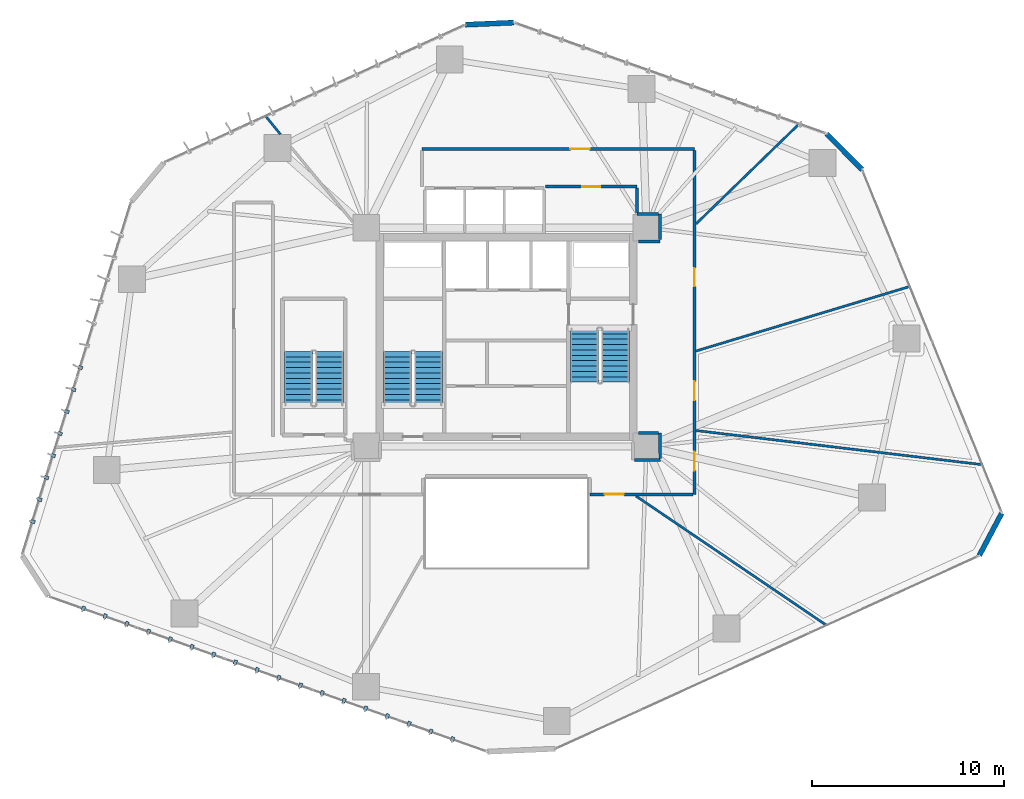
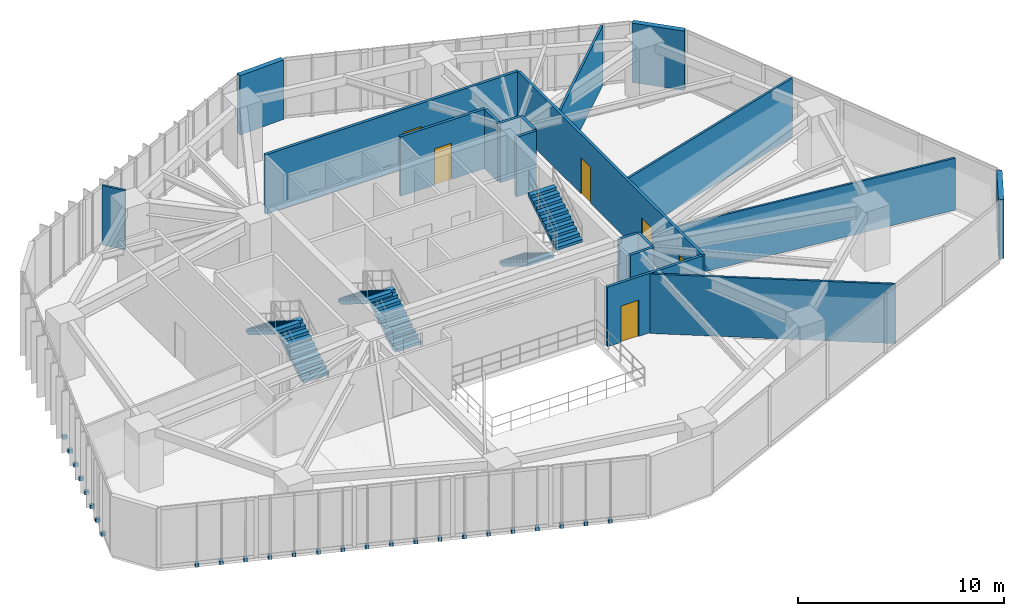
# One storey, part 20 of 24: 26 discrete accessories, 19 walls, 6 doors, 6 stair flights, 6 openings, 3 elements without a shape of their own.
"""IFC4 building model written with IfcOpenShell, lengths in metres."""

import ifcopenshell
import ifcopenshell.guid

model = None  # the IFC model being written
_history = None  # IfcOwnerHistory: only IFC2X3 demands one
_inside = {}  # id of a spatial element -> (the spatial element, [elements in it])
_under = {}  # id of a project, library or spatial element -> (it, [spatial elements below it])
_declared = {}  # id of a project -> (the project, [libraries it declares])
_typed = {}  # id of a type object -> (the type object, [elements of that type])
_made_of = {}  # id of a material, layer set ... -> (it, [elements and type objects made of it])


def new_model(schema):
    """Start an empty IFC model of exactly this schema.

    Asked for "IFC4X3", IfcOpenShell would pick the latest addendum, in which some entities
    have other attributes; the version numbers below select the first issue.
    IFC2X3 requires an IfcOwnerHistory on every rooted entity: one is made here for all.
    """
    global model, _history
    if schema == "IFC4X3":
        model = ifcopenshell.file(schema_version=(4, 3, 0, 0))
    else:
        model = ifcopenshell.file(schema=schema)
    _inside.clear()
    _under.clear()
    _declared.clear()
    _typed.clear()
    _made_of.clear()
    _history = None
    if model.schema == "IFC2X3":
        org = make("IfcOrganization", Name="unknown")
        user = make(
            "IfcPersonAndOrganization",
            ThePerson=make("IfcPerson", FamilyName="unknown"),
            TheOrganization=org,
        )
        app = make(
            "IfcApplication",
            ApplicationDeveloper=org,
            Version="unknown",
            ApplicationFullName="unknown",
            ApplicationIdentifier="unknown",
        )
        _history = make(
            "IfcOwnerHistory",
            OwningUser=user,
            OwningApplication=app,
            ChangeAction="ADDED",
            CreationDate=0,
        )
    return model


def make(cls, **values):
    """One entity of the class cls with the attributes given. An attribute that is None is left unset."""
    return model.create_entity(
        cls, **{name: value for name, value in values.items() if value is not None}
    )


def rooted(cls, **values):
    """An entity with a GlobalId (a new one), such as an element, a storey or a relation."""
    return make(cls, GlobalId=ifcopenshell.guid.new(), OwnerHistory=_history, **values)


def si_unit(unit_type, name, prefix=None):
    """IfcSIUnit, for example si_unit("LENGTHUNIT", "METRE", prefix="MILLI")."""
    return make("IfcSIUnit", UnitType=unit_type, Prefix=prefix, Name=name)


def assignment(units):
    """IfcUnitAssignment: the units of a project."""
    return None if units is None else make("IfcUnitAssignment", Units=units)


def point(xyz):
    """IfcCartesianPoint."""
    return None if xyz is None else make("IfcCartesianPoint", Coordinates=xyz)


def direction(xyz):
    """IfcDirection."""
    return None if xyz is None else make("IfcDirection", DirectionRatios=xyz)


def frame(location, z_axis=None, x_axis=None):
    """IfcAxis2Placement3D, a coordinate frame: its origin and axes. An axis left out is left unset."""
    return make(
        "IfcAxis2Placement3D",
        Location=point(location),
        Axis=direction(z_axis),
        RefDirection=direction(x_axis),
    )


def frame_2d(location, x_axis=None):
    """IfcAxis2Placement2D, a coordinate frame in the plane: its origin and x axis."""
    return make(
        "IfcAxis2Placement2D", Location=point(location), RefDirection=direction(x_axis)
    )


def origin():
    """The frame at (0, 0, 0) with its axes left unset."""
    return frame((0.0, 0.0, 0.0))


def origin_2d():
    """The frame at (0, 0) in the plane with its x axis left unset."""
    return frame_2d((0.0, 0.0))


def place(relative_to, where):
    """IfcLocalPlacement: puts the frame where relative to a parent placement (None: the world)."""
    return make(
        "IfcLocalPlacement", PlacementRelTo=relative_to, RelativePlacement=where
    )


def context(
    kind, dimensions, precision=None, world=None, true_north=None, identifier=None
):
    """IfcGeometricRepresentationContext, for example the 3D "Model" context."""
    return make(
        "IfcGeometricRepresentationContext",
        ContextIdentifier=identifier,
        ContextType=kind,
        CoordinateSpaceDimension=dimensions,
        Precision=precision,
        WorldCoordinateSystem=world,
        TrueNorth=true_north,
    )


def subcontext(parent, identifier, kind, view, scale=None):
    """IfcGeometricRepresentationSubContext, for example "Body" below "Model"."""
    return make(
        "IfcGeometricRepresentationSubContext",
        ContextIdentifier=identifier,
        ContextType=kind,
        ParentContext=parent,
        TargetScale=scale,
        TargetView=view,
    )


def project(units=None, contexts=None):
    """IfcProject with its units and contexts."""
    return rooted(
        "IfcProject",
        Name="project",
        RepresentationContexts=contexts,
        UnitsInContext=assignment(units),
    )


def spatial(cls, under=None, at=None, **own):
    """A site, building, storey or space (cls), placed at a placement, below another one or the project."""
    s = rooted(cls, ObjectPlacement=at, **own)
    if under is not None:
        _under.setdefault(under.id(), (under, []))[1].append(s)
    return s


def polyline(points):
    """IfcPolyline through the points."""
    return make("IfcPolyline", Points=[point(p) for p in points])


def profile(cls, at=None, kind="AREA", **sizes):
    """A parametric profile (cls). Its sizes go by their IFC names, for example OverallWidth=200.0."""
    return make(cls, ProfileType=kind, Position=at, **sizes)


def rectangle(**sizes):
    """IfcRectangleProfileDef."""
    return profile("IfcRectangleProfileDef", **sizes)


def outline(outer, holes=None, kind="AREA"):
    """IfcArbitraryClosedProfileDef: a profile drawn as a closed curve; with holes, ...WithVoids."""
    if holes is None:
        return make("IfcArbitraryClosedProfileDef", ProfileType=kind, OuterCurve=outer)
    return make(
        "IfcArbitraryProfileDefWithVoids",
        ProfileType=kind,
        OuterCurve=outer,
        InnerCurves=holes,
    )


def extrude(swept, where, along, depth):
    """IfcExtrudedAreaSolid: the profile swept, set in the frame where, extruded along a direction by depth."""
    return make(
        "IfcExtrudedAreaSolid",
        SweptArea=swept,
        Position=where,
        ExtrudedDirection=direction(along),
        Depth=depth,
    )


def shape(context_of_items, identifier, shape_type, items):
    """IfcShapeRepresentation: the items that make up one representation, for example the "Body"."""
    return make(
        "IfcShapeRepresentation",
        ContextOfItems=context_of_items,
        RepresentationIdentifier=identifier,
        RepresentationType=shape_type,
        Items=items,
    )


def source(mapping_origin, context_of_items, identifier, shape_type, items):
    """IfcRepresentationMap: a shape defined once, which mapped items show again and again."""
    return make(
        "IfcRepresentationMap",
        MappingOrigin=mapping_origin,
        MappedRepresentation=shape(context_of_items, identifier, shape_type, items),
    )


def transform(
    local_origin,
    x_axis=None,
    y_axis=None,
    z_axis=None,
    scale=None,
    scale2=None,
    scale3=None,
    uniform=True,
):
    """IfcCartesianTransformationOperator3D, or its non-uniform kind. x_axis, y_axis, z_axis: its Axis1, 2, 3."""
    if uniform:
        return make(
            "IfcCartesianTransformationOperator3D",
            Axis1=direction(x_axis),
            Axis2=direction(y_axis),
            LocalOrigin=point(local_origin),
            Scale=scale,
            Axis3=direction(z_axis),
        )
    return make(
        "IfcCartesianTransformationOperator3DnonUniform",
        Axis1=direction(x_axis),
        Axis2=direction(y_axis),
        LocalOrigin=point(local_origin),
        Scale=scale,
        Axis3=direction(z_axis),
        Scale2=scale2,
        Scale3=scale3,
    )


def mapped(mapping_source, mapping_target):
    """IfcMappedItem: shows the shape of a source again, moved by a transform."""
    return make(
        "IfcMappedItem", MappingSource=mapping_source, MappingTarget=mapping_target
    )


def material(Name=None, Category=None):
    """IfcMaterial."""
    return make("IfcMaterial", Name=Name, Category=Category)


def layer(
    of_material, thickness, ventilated=None, Name=None, Category=None, Priority=None
):
    """IfcMaterialLayer: one layer of a wall or slab, of a material (None: an air gap)."""
    return make(
        "IfcMaterialLayer",
        Material=of_material,
        LayerThickness=thickness,
        IsVentilated=ventilated,
        Name=Name,
        Category=Category,
        Priority=Priority,
    )


def layer_set(layers, Name=None):
    """IfcMaterialLayerSet."""
    return make("IfcMaterialLayerSet", MaterialLayers=layers, LayerSetName=Name)


def made_of(thing, what):
    """Note that an element or type object is made of a material, layer set ...; save() writes the relation."""
    if what is not None:
        _made_of.setdefault(what.id(), (what, []))[1].append(thing)
    return thing


def type_object(cls, material=None, **own):
    """A type object (cls), such as IfcWallType, which elements share."""
    return made_of(rooted(cls, **own), material)


def type_shapes(of_type, sources):
    """Give a type object the sources (RepresentationMaps) that its elements show as mapped items."""
    of_type.RepresentationMaps = sources


def element(
    cls,
    number,
    at=None,
    inside=None,
    cuts=None,
    type_object=None,
    material=None,
    context=None,
    identifier="Body",
    shape_type=None,
    held_by="IfcProductDefinitionShape",
    body=None,
    shapes=None,
    **own,
):
    """One element of the class cls, such as IfcWall. Its Tag is "e" and its number.

    at: its placement. inside: the storey or other place that contains it. cuts: it is an
    opening in that element (IfcRelVoidsElement). A single representation is given by context,
    identifier, shape_type and body (its items); several are given by shapes. held_by: the class
    of the entity that holds the representations. save() writes the other relations.
    """
    e = rooted(cls, Tag="e%d" % number, ObjectPlacement=at, **own)
    if body is not None:
        shapes = [shape(context, identifier, shape_type, body)]
    if shapes is not None:
        e.Representation = make(held_by, Representations=shapes)
    if inside is not None:
        _inside.setdefault(inside.id(), (inside, []))[1].append(e)
    if cuts is not None:
        rooted(
            "IfcRelVoidsElement", RelatingBuildingElement=cuts, RelatedOpeningElement=e
        )
    if type_object is not None:
        _typed.setdefault(type_object.id(), (type_object, []))[1].append(e)
    return made_of(e, material)


def fill(opening, filler):
    """IfcRelFillsElement: the door or window that sits in an opening."""
    return rooted(
        "IfcRelFillsElement",
        RelatingOpeningElement=opening,
        RelatedBuildingElement=filler,
    )


def aggregate(whole, parts):
    """IfcRelAggregates: a whole, such as a stair, and the parts it consists of."""
    return rooted("IfcRelAggregates", RelatingObject=whole, RelatedObjects=parts)


def save(model, path):
    """Write the relations noted so far, then the file.

    IfcRelAggregates (storeys below a building ...), IfcRelContainedInSpatialStructure (elements
    in a storey), IfcRelDefinesByType, IfcRelAssociatesMaterial and IfcRelDeclares: one each for
    every whole, place, type object, material and project.
    """
    for whole, parts in _under.values():
        aggregate(whole, parts)
    for where, things in _inside.values():
        rooted(
            "IfcRelContainedInSpatialStructure",
            RelatedElements=things,
            RelatingStructure=where,
        )
    for kind, things in _typed.values():
        rooted("IfcRelDefinesByType", RelatedObjects=things, RelatingType=kind)
    for what, things in _made_of.values():
        rooted("IfcRelAssociatesMaterial", RelatedObjects=things, RelatingMaterial=what)
    for by, libraries in _declared.values():
        rooted("IfcRelDeclares", RelatingContext=by, RelatedDefinitions=libraries)
    model.write(path)


model = new_model("IFC4")

# Units and contexts
model_context = context("Model", 3, precision=1e-05, world=origin(), true_north=direction((0.0, 1.0)))
body_context = subcontext(model_context, "Body", "Model", "MODEL_VIEW")
ifc_project = project(units=[si_unit("LENGTHUNIT", "METRE"), si_unit("AREAUNIT", "SQUARE_METRE"), si_unit("VOLUMEUNIT", "CUBIC_METRE"), si_unit("PLANEANGLEUNIT", "RADIAN"), si_unit("MASSUNIT", "GRAM", prefix="KILO")], contexts=[model_context])

# Site, building, storey
site_placement = place(None, origin())
site = spatial("IfcSite", under=ifc_project, at=site_placement, CompositionType="ELEMENT")
building_placement = place(site_placement, origin())
building = spatial("IfcBuilding", under=site, at=building_placement, Name="Talar Marvaseh", CompositionType="ELEMENT")
storey_placement = place(building_placement, frame((0.0, 0.0, 31.60009765625)))
storey = spatial("IfcBuildingStorey", under=building, at=storey_placement, Name="L07", CompositionType="ELEMENT", Elevation=31.60009765625)

# Walls
ifc_material_1 = material(Name="Precast concrete C45/55", Category="concrete")
ifc_layer_1 = layer(ifc_material_1, 0.27001953125)
ifc_layer_set_1 = layer_set([ifc_layer_1], Name="Precast concrete C45/55")
wall_type_1 = type_object("IfcWallType", Name="Chamfered Hexagonal Corner Pier Wall Z1 270", PredefinedType="SOLIDWALL", material=ifc_layer_set_1)
wall_1_placement = place(storey_placement, frame((23.86865234375, 47.47607421875, 0.0), z_axis=(0.0, 0.0, 1.0), x_axis=(0.999050474319, 0.043567760584, 0.0)))
element("IfcWall", 1, at=wall_1_placement, inside=storey, type_object=wall_type_1, Name="L07 Chamfered Corner Limestone Pier 3", PredefinedType="SOLIDWALL", context=body_context, shape_type="SweptSolid", body=[
    extrude(rectangle(XDim=2.51611328125, YDim=0.27001953125, at=frame_2d((1.258056640625, 0.0))), origin(), (0.0, 0.0, 1.0), 3.52001953125),
])
wall_2_placement = place(storey_placement, frame((42.6787109375, 41.79150390625, 0.0), z_axis=(0.0, 0.0, 1.0), x_axis=(0.705569446061, -0.708640781204, 0.0)))
element("IfcWall", 2, at=wall_2_placement, inside=storey, type_object=wall_type_1, Name="L07 Chamfered Corner Limestone Pier 4", PredefinedType="SOLIDWALL", context=body_context, shape_type="SweptSolid", body=[
    extrude(rectangle(XDim=2.623291015625, YDim=0.27001953125, at=frame_2d((1.3115234375, 0.0))), origin(), (0.0, 0.0, 1.0), 3.52001953125),
])
wall_3_placement = place(storey_placement, frame((51.805419921875, 22.01806640625, 0.0), z_axis=(0.0, 0.0, 1.0), x_axis=(-0.468316655627, -0.883560699704, 0.0)))
element("IfcWall", 3, at=wall_3_placement, inside=storey, type_object=wall_type_1, Name="L07 Chamfered Corner Limestone Pier 5", PredefinedType="SOLIDWALL", context=body_context, shape_type="SweptSolid", body=[
    extrude(rectangle(XDim=2.484130859375, YDim=0.27001953125, at=frame_2d((1.2421875, 0.0))), origin(), (0.0, 0.0, 1.0), 3.52001953125),
])

# Wall, opening, door
ifc_material_2 = material(Name="Gypsum Board Partition Assembly")
ifc_layer_2 = layer(ifc_material_2, 0.155029296875)
ifc_layer_set_2 = layer_set([ifc_layer_2], Name="Gypsum Board Partition Assembly")
wall_type_2 = type_object("IfcWallType", Name="Corridor Fire-Rated Acoustic Partition 155", PredefinedType="PARTITIONING", material=ifc_layer_set_2)
wall_4_placement = place(storey_placement, frame((32.800048828125, 39.0400390625, 0.0), z_axis=(0.0, 0.0, 1.0), x_axis=(-1.0, 0.0, 0.0)))
wall_4 = element("IfcWall", 4, at=wall_4_placement, inside=storey, type_object=wall_type_2, Name="L07 Interior Partition Wall", PredefinedType="PARTITIONING", context=body_context, shape_type="SweptSolid", body=[
    extrude(rectangle(XDim=4.77001953125, YDim=0.155029296875, at=frame_2d((2.385009765625, 0.0))), origin(), (0.0, 0.0, 1.0), 3.52001953125),
])
opening_1_placement = place(wall_4_placement, frame((1.909912109375, 0.0, 0.0)))
opening_1 = element("IfcOpeningElement", 5, at=opening_1_placement, cuts=wall_4, Name="Opening DR-WC095", PredefinedType="OPENING", context=body_context, shape_type="SweptSolid", body=[
    extrude(rectangle(XDim=0.949951171875, YDim=2.14990234375, at=frame_2d((0.47509765625, 1.074951171875))), frame((0.0, 0.08740234375, 0.0), z_axis=(0.0, -1.0, 0.0), x_axis=(1.0, 0.0, 0.0)), (0.0, 0.0, 1.0), 0.175048828125),
])
ifc_material_3 = material(Name="Acoustic Engineered Oak Timber", Category="wood")
door_type_1 = type_object("IfcDoorType", Name="Washroom and Service Room Door 950x2150", OperationType="NOTDEFINED", PredefinedType="DOOR", material=ifc_material_3)
shared_shape_1 = source(origin(), body_context, "Body", "SweptSolid", [
    extrude(rectangle(XDim=0.949951171875, YDim=2.14990234375, at=frame_2d((0.47509765625, 1.074951171875))), frame((0.0, 0.02490234375, 0.0), z_axis=(0.0, -1.0, 0.0), x_axis=(1.0, 0.0, 0.0)), (0.0, 0.0, 1.0), 0.050048828125),
])
type_shapes(door_type_1, [shared_shape_1])
door_1_placement = place(opening_1_placement, origin())
door_1 = element("IfcDoor", 6, at=door_1_placement, inside=storey, type_object=door_type_1, Name="L07 WC Public Washrooms Door", OperationType="SINGLE_SWING_LEFT", OverallHeight=2.14990234375, OverallWidth=0.949951171875, PredefinedType="DOOR", context=body_context, shape_type="MappedRepresentation", body=[
    mapped(shared_shape_1, transform((0.0, 0.0, 0.0), x_axis=(1.0, 0.0, 0.0), y_axis=(0.0, 1.0, 0.0), z_axis=(0.0, 0.0, 1.0), scale=1.0)),
])
fill(opening_1, door_1)

wall_5_placement = place(storey_placement, frame((21.60009765625, 41.0, 0.0), z_axis=(0.0, 0.0, 1.0), x_axis=(1.0, 0.0, 0.0)))
wall_5 = element("IfcWall", 7, at=wall_5_placement, inside=storey, type_object=wall_type_2, Name="L07 Interior Partition Wall", PredefinedType="PARTITIONING", context=body_context, shape_type="SweptSolid", body=[
    extrude(rectangle(XDim=14.199951171875, YDim=0.155029296875, at=frame_2d((7.10009765625, 0.0))), origin(), (0.0, 0.0, 1.0), 3.52001953125),
])
opening_2_placement = place(wall_5_placement, frame((7.736083984375, 0.0, 0.0)))
opening_2 = element("IfcOpeningElement", 8, at=opening_2_placement, cuts=wall_5, Name="Opening DR-RM100", PredefinedType="OPENING", context=body_context, shape_type="SweptSolid", body=[
    extrude(rectangle(XDim=1.0, YDim=2.14990234375, at=frame_2d((0.5, 1.074951171875))), frame((0.0, 0.08740234375, 0.0), z_axis=(0.0, -1.0, 0.0), x_axis=(1.0, 0.0, 0.0)), (0.0, 0.0, 1.0), 0.175048828125),
])
door_type_2 = type_object("IfcDoorType", Name="Corridor Fire-Rated Gallery Door 1000x2150", OperationType="NOTDEFINED", PredefinedType="DOOR", material=ifc_material_3)
shared_shape_2 = source(origin(), body_context, "Body", "SweptSolid", [
    extrude(rectangle(XDim=1.0, YDim=2.14990234375, at=frame_2d((0.5, 1.074951171875))), frame((0.0, 0.02490234375, 0.0), z_axis=(0.0, -1.0, 0.0), x_axis=(1.0, 0.0, 0.0)), (0.0, 0.0, 1.0), 0.050048828125),
])
type_shapes(door_type_2, [shared_shape_2])
door_2_placement = place(opening_2_placement, origin())
door_2 = element("IfcDoor", 9, at=door_2_placement, inside=storey, type_object=door_type_2, Name="L07 Chamber Recital Salon Door", OperationType="SINGLE_SWING_RIGHT", OverallHeight=2.14990234375, OverallWidth=1.0, PredefinedType="DOOR", context=body_context, shape_type="MappedRepresentation", body=[
    mapped(shared_shape_2, transform((0.0, 0.0, 0.0), x_axis=(1.0, 0.0, 0.0), y_axis=(0.0, 1.0, 0.0), z_axis=(0.0, 0.0, 1.0), scale=1.0)),
])
fill(opening_2, door_2)

# Wall, openings, doors
wall_6_placement = place(storey_placement, frame((35.800048828125, 40.91650390625, 0.0), z_axis=(0.0, 0.0, 1.0), x_axis=(0.0, -1.0, 0.0)))
wall_6 = element("IfcWall", 10, at=wall_6_placement, inside=storey, type_object=wall_type_2, Name="L07 Interior Partition Wall", PredefinedType="PARTITIONING", context=body_context, shape_type="SweptSolid", body=[
    extrude(rectangle(XDim=17.91650390625, YDim=0.155029296875, at=frame_2d((8.958251953125, 0.0))), origin(), (0.0, 0.0, 1.0), 3.52001953125),
])
opening_3_placement = place(wall_6_placement, frame((15.67822265625, 0.0, 0.0)))
opening_3 = element("IfcOpeningElement", 11, at=opening_3_placement, cuts=wall_6, Name="Opening DR-RM100", PredefinedType="OPENING", context=body_context, shape_type="SweptSolid", body=[
    extrude(rectangle(XDim=1.0, YDim=2.14990234375, at=frame_2d((0.5, 1.074951171875))), frame((0.0, 0.08740234375, 0.0), z_axis=(0.0, -1.0, 0.0), x_axis=(1.0, 0.0, 0.0)), (0.0, 0.0, 1.0), 0.175048828125),
])
opening_4_placement = place(wall_6_placement, frame((12.01904296875, 0.0, 0.0)))
opening_4 = element("IfcOpeningElement", 12, at=opening_4_placement, cuts=wall_6, Name="Opening DR-RM100", PredefinedType="OPENING", context=body_context, shape_type="SweptSolid", body=[
    extrude(rectangle(XDim=1.0, YDim=2.14990234375, at=frame_2d((0.5, 1.074951171875))), frame((0.0, 0.08740234375, 0.0), z_axis=(0.0, -1.0, 0.0), x_axis=(1.0, 0.0, 0.0)), (0.0, 0.0, 1.0), 0.175048828125),
])
opening_5_placement = place(wall_6_placement, frame((6.127197265625, 0.0, 0.0)))
opening_5 = element("IfcOpeningElement", 13, at=opening_5_placement, cuts=wall_6, Name="Opening DR-WC095", PredefinedType="OPENING", context=body_context, shape_type="SweptSolid", body=[
    extrude(rectangle(XDim=0.949951171875, YDim=2.14990234375, at=frame_2d((0.47509765625, 1.074951171875))), frame((0.0, 0.08740234375, 0.0), z_axis=(0.0, -1.0, 0.0), x_axis=(1.0, 0.0, 0.0)), (0.0, 0.0, 1.0), 0.175048828125),
])
door_3_placement = place(opening_5_placement, origin())
door_3 = element("IfcDoor", 14, at=door_3_placement, inside=storey, type_object=door_type_1, Name="L07 Accessible WC Block Door", OperationType="SINGLE_SWING_RIGHT", OverallHeight=2.14990234375, OverallWidth=0.949951171875, PredefinedType="DOOR", context=body_context, shape_type="MappedRepresentation", body=[
    mapped(shared_shape_1, transform((0.0, 0.0, 0.0), x_axis=(1.0, 0.0, 0.0), y_axis=(0.0, 1.0, 0.0), z_axis=(0.0, 0.0, 1.0), scale=1.0)),
])
fill(opening_5, door_3)
door_4_placement = place(opening_3_placement, origin())
door_4 = element("IfcDoor", 15, at=door_4_placement, inside=storey, type_object=door_type_2, Name="L07 Main Reading Room Door", OperationType="SINGLE_SWING_RIGHT", OverallHeight=2.14990234375, OverallWidth=1.0, PredefinedType="DOOR", context=body_context, shape_type="MappedRepresentation", body=[
    mapped(shared_shape_2, transform((0.0, 0.0, 0.0), x_axis=(1.0, 0.0, 0.0), y_axis=(0.0, 1.0, 0.0), z_axis=(0.0, 0.0, 1.0), scale=1.0)),
])
fill(opening_3, door_4)
door_5_placement = place(opening_4_placement, origin())
door_5 = element("IfcDoor", 16, at=door_5_placement, inside=storey, type_object=door_type_2, Name="L07 Archival Research Office Door", OperationType="SINGLE_SWING_LEFT", OverallHeight=2.14990234375, OverallWidth=1.0, PredefinedType="DOOR", context=body_context, shape_type="MappedRepresentation", body=[
    mapped(shared_shape_2, transform((0.0, 0.0, 0.0), x_axis=(1.0, 0.0, 0.0), y_axis=(0.0, 1.0, 0.0), z_axis=(0.0, 0.0, 1.0), scale=1.0)),
])
fill(opening_4, door_5)

# Wall, opening, door
wall_7_placement = place(storey_placement, frame((35.716552734375, 23.0, 0.0), z_axis=(0.0, 0.0, 1.0), x_axis=(-1.0, 0.0, 0.0)))
wall_7 = element("IfcWall", 17, at=wall_7_placement, inside=storey, type_object=wall_type_2, Name="L07 Interior Partition Wall", PredefinedType="PARTITIONING", context=body_context, shape_type="SweptSolid", body=[
    extrude(rectangle(XDim=5.3564453125, YDim=0.155029296875, at=frame_2d((2.67822265625, 0.0))), origin(), (0.0, 0.0, 1.0), 3.52001953125),
])
opening_6_placement = place(wall_7_placement, frame((3.59619140625, 0.0, 0.0)))
opening_6 = element("IfcOpeningElement", 18, at=opening_6_placement, cuts=wall_7, Name="Opening DR-RM100", PredefinedType="OPENING", context=body_context, shape_type="SweptSolid", body=[
    extrude(rectangle(XDim=1.0, YDim=2.14990234375, at=frame_2d((0.5, 1.074951171875))), frame((0.0, 0.08740234375, 0.0), z_axis=(0.0, -1.0, 0.0), x_axis=(1.0, 0.0, 0.0)), (0.0, 0.0, 1.0), 0.175048828125),
])
door_6_placement = place(opening_6_placement, origin())
door_6 = element("IfcDoor", 19, at=door_6_placement, inside=storey, type_object=door_type_2, Name="L07 Curatorial Office Door", OperationType="SINGLE_SWING_LEFT", OverallHeight=2.14990234375, OverallWidth=1.0, PredefinedType="DOOR", context=body_context, shape_type="MappedRepresentation", body=[
    mapped(shared_shape_2, transform((0.0, 0.0, 0.0), x_axis=(1.0, 0.0, 0.0), y_axis=(0.0, 1.0, 0.0), z_axis=(0.0, 0.0, 1.0), scale=1.0)),
])
fill(opening_6, door_6)

# Walls
wall_8_placement = place(storey_placement, frame((32.67529296875, 24.788330078125, 0.0), z_axis=(0.0, 0.0, 1.0), x_axis=(0.999961738884, 0.008747614993, 0.0)))
element("IfcWall", 20, at=wall_8_placement, inside=storey, type_object=wall_type_2, Name="L07 Interior Partition Wall", PredefinedType="PARTITIONING", context=body_context, shape_type="SweptSolid", body=[
    extrude(rectangle(XDim=1.339599609375, YDim=0.155029296875, at=frame_2d((0.669921875, 0.0))), origin(), (0.0, 0.0, 1.0), 3.52001953125),
])
wall_9_placement = place(storey_placement, frame((34.014892578125, 24.883544921875, 0.0), z_axis=(0.0, 0.0, 1.0), x_axis=(-0.002393659134, 0.999997135194, 0.0)))
element("IfcWall", 21, at=wall_9_placement, inside=storey, type_object=wall_type_2, Name="L07 Interior Partition Wall", PredefinedType="PARTITIONING", context=body_context, shape_type="SweptSolid", body=[
    extrude(rectangle(XDim=1.325927734375, YDim=0.155029296875, at=frame_2d((0.6630859375, 0.0))), origin(), (0.0, 0.0, 1.0), 3.52001953125),
])
wall_10_placement = place(storey_placement, frame((33.927978515625, 26.2099609375, 0.0), z_axis=(0.0, 0.0, 1.0), x_axis=(-0.999988255797, 0.004846469737, 0.0)))
element("IfcWall", 22, at=wall_10_placement, inside=storey, type_object=wall_type_2, Name="L07 Interior Partition Wall", PredefinedType="PARTITIONING", context=body_context, shape_type="SweptSolid", body=[
    extrude(rectangle(XDim=1.057861328125, YDim=0.155029296875, at=frame_2d((0.52880859375, 0.0))), origin(), (0.0, 0.0, 1.0), 3.52001953125),
])
wall_11_placement = place(storey_placement, frame((32.8701171875, 36.18505859375, 0.0), z_axis=(0.0, 0.0, 1.0), x_axis=(0.999988932255, 0.00470482389, 0.0)))
element("IfcWall", 23, at=wall_11_placement, inside=storey, type_object=wall_type_2, Name="L07 Interior Partition Wall", PredefinedType="PARTITIONING", context=body_context, shape_type="SweptSolid", body=[
    extrude(rectangle(XDim=1.1416015625, YDim=0.155029296875, at=frame_2d((0.57080078125, 0.0))), origin(), (0.0, 0.0, 1.0), 3.52001953125),
])
wall_12_placement = place(storey_placement, frame((34.01171875, 36.27392578125, 0.0), z_axis=(0.0, 0.0, 1.0), x_axis=(0.0, 1.0, 0.0)))
element("IfcWall", 24, at=wall_12_placement, inside=storey, type_object=wall_type_2, Name="L07 Interior Partition Wall", PredefinedType="PARTITIONING", context=body_context, shape_type="SweptSolid", body=[
    extrude(rectangle(XDim=1.335693359375, YDim=0.155029296875, at=frame_2d((0.66796875, 0.0))), origin(), (0.0, 0.0, 1.0), 3.52001953125),
])
wall_13_placement = place(storey_placement, frame((33.927978515625, 37.60986328125, 0.0), z_axis=(0.0, 0.0, 1.0), x_axis=(-0.999989669582, 0.004545407589, 0.0)))
element("IfcWall", 25, at=wall_13_placement, inside=storey, type_object=wall_type_2, Name="L07 Interior Partition Wall", PredefinedType="PARTITIONING", context=body_context, shape_type="SweptSolid", body=[
    extrude(rectangle(XDim=1.1279296875, YDim=0.155029296875, at=frame_2d((0.56396484375, 0.0))), origin(), (0.0, 0.0, 1.0), 3.52001953125),
])
wall_14_placement = place(storey_placement, frame((32.800048828125, 37.698486328125, 0.0), z_axis=(0.0, 0.0, 1.0), x_axis=(0.0, 1.0, 0.0)))
element("IfcWall", 26, at=wall_14_placement, inside=storey, type_object=wall_type_2, Name="L07 Interior Partition Wall", PredefinedType="PARTITIONING", context=body_context, shape_type="SweptSolid", body=[
    extrude(rectangle(XDim=1.258056640625, YDim=0.155029296875, at=frame_2d((0.62890625, 0.0))), origin(), (0.0, 0.0, 1.0), 3.52001953125),
])
ifc_layer_3 = layer(ifc_material_2, 0.1201171875)
ifc_layer_set_3 = layer_set([ifc_layer_3], Name="Gypsum Board Partition Assembly")
wall_type_3 = type_object("IfcWallType", Name="Demountable Studio Room Partition 120", PredefinedType="PARTITIONING", material=ifc_layer_set_3)
wall_15_placement = place(storey_placement, frame((32.753173828125, 22.91650390625, 0.0), z_axis=(0.0, 0.0, 1.0), x_axis=(0.827507249644, -0.561455030957, 0.0)))
element("IfcWall", 27, at=wall_15_placement, inside=storey, type_object=wall_type_3, Name="L07 Interior Partition Wall", PredefinedType="PARTITIONING", context=body_context, shape_type="SweptSolid", body=[
    extrude(rectangle(XDim=11.9697265625, YDim=0.1201171875, at=frame_2d((5.98486328125, 0.0))), origin(), (0.0, 0.0, 1.0), 3.52001953125),
])
wall_16_placement = place(storey_placement, frame((35.864501953125, 26.332275390625, 0.0), z_axis=(0.0, 0.0, 1.0), x_axis=(0.992974996314, -0.118324370671, 0.0)))
element("IfcWall", 28, at=wall_16_placement, inside=storey, type_object=wall_type_3, Name="L07 Interior Partition Wall", PredefinedType="PARTITIONING", context=body_context, shape_type="SweptSolid", body=[
    extrude(rectangle(XDim=15.0126953125, YDim=0.1201171875, at=frame_2d((7.50634765625, 0.0))), origin(), (0.0, 0.0, 1.0), 3.081787109375),
])
wall_17_placement = place(storey_placement, frame((35.8623046875, 30.46875, 0.0), z_axis=(0.0, 0.0, 1.0), x_axis=(0.957323764564, 0.289017663474, 0.0)))
element("IfcWall", 29, at=wall_17_placement, inside=storey, type_object=wall_type_3, Name="L07 Interior Partition Wall", PredefinedType="PARTITIONING", context=body_context, shape_type="SweptSolid", body=[
    extrude(rectangle(XDim=11.626708984375, YDim=0.1201171875, at=frame_2d((5.8134765625, 0.0))), origin(), (0.0, 0.0, 1.0), 3.52001953125),
])
wall_18_placement = place(storey_placement, frame((35.883544921875, 37.10107421875, 0.0), z_axis=(0.0, 0.0, 1.0), x_axis=(0.717885506384, 0.696161188034, 0.0)))
element("IfcWall", 30, at=wall_18_placement, inside=storey, type_object=wall_type_3, Name="L07 Interior Partition Wall", PredefinedType="PARTITIONING", context=body_context, shape_type="SweptSolid", body=[
    extrude(rectangle(XDim=7.450927734375, YDim=0.1201171875, at=frame_2d((3.7255859375, 0.0))), origin(), (0.0, 0.0, 1.0), 3.52001953125),
])
wall_19_placement = place(storey_placement, frame((14.22998046875, 41.760009765625, 0.0), z_axis=(0.0, 0.0, 1.0), x_axis=(-0.630509067862, 0.776181882901, 0.0)))
element("IfcWall", 31, at=wall_19_placement, inside=storey, type_object=wall_type_3, Name="L07 Interior Partition Wall", PredefinedType="PARTITIONING", context=body_context, shape_type="SweptSolid", body=[
    extrude(rectangle(XDim=1.2099609375, YDim=0.1201171875, at=frame_2d((0.60498046875, 0.0))), origin(), (0.0, 0.0, 1.0), 3.52001953125),
])

# Stair, stair flights
ifc_material_4 = material(Name="Concrete C40/50", Category="concrete")
stair_type = type_object("IfcStairType", Name="Reinforced Concrete Half-Turn Exit Stair Type B", PredefinedType="HALF_TURN_STAIR", material=ifc_material_4)
stair_1_placement = place(storey_placement, origin())
stair_1 = element("IfcStair", 32, at=stair_1_placement, inside=storey, type_object=stair_type, Name="L07 Tower West Core Exit Stair", PredefinedType="HALF_TURN_STAIR")
ifc_layer_4 = layer(ifc_material_4, 0.159912109375)
ifc_layer_set_4 = layer_set([ifc_layer_4], Name="Concrete C40/50")
stair_flight_type = type_object("IfcStairFlightType", Name="Reinforced Concrete Straight Stair Flight 160", PredefinedType="STRAIGHT", material=ifc_layer_set_4)
stair_flight_1_placement = place(storey_placement, frame((21.93505859375, 27.64990234375, 0.0), z_axis=(0.0, 0.0, 1.0), x_axis=(0.0, 1.0, 0.0)))
stair_flight_1 = element("IfcStairFlight", 33, at=stair_flight_1_placement, type_object=stair_flight_type, Name="ST-1 flight 1", NumberOfRisers=11, NumberOfTreads=10, PredefinedType="STRAIGHT", RiserHeight=0.172727273, TreadLength=0.28, context=body_context, shape_type="SweptSolid", body=[
    extrude(outline(polyline([(0.0, 0.0), (0.0, 0.172607421875), (0.280029296875, 0.172607421875), (0.280029296875, 0.345458984375), (0.56005859375, 0.345458984375), (0.56005859375, 0.51806640625), (0.840087890625, 0.51806640625), (0.840087890625, 0.69091796875), (1.1201171875, 0.69091796875), (1.1201171875, 0.863525390625), (1.39990234375, 0.863525390625), (1.39990234375, 1.036376953125), (1.679931640625, 1.036376953125), (1.679931640625, 1.208984375), (1.9599609375, 1.208984375), (1.9599609375, 1.3818359375), (2.239990234375, 1.3818359375), (2.239990234375, 1.554443359375), (2.52001953125, 1.554443359375), (2.52001953125, 1.727294921875), (2.800048828125, 1.727294921875), (2.800048828125, 1.89990234375), (2.800048828125, 1.539306640625), (0.3046875, 0.0), (0.0, 0.0)])), frame((0.0, 0.72509765625, 0.0), z_axis=(0.0, -1.0, 0.0), x_axis=(1.0, 0.0, 0.0)), (0.0, 0.0, 1.0), 1.449951171875),
])
stair_flight_2_placement = place(storey_placement, frame((20.324951171875, 30.449951171875, 1.89990234375), z_axis=(0.0, 0.0, 1.0), x_axis=(0.0, -1.0, 0.0)))
stair_flight_2 = element("IfcStairFlight", 34, at=stair_flight_2_placement, type_object=stair_flight_type, Name="ST-1 flight 2", NumberOfRisers=11, NumberOfTreads=10, PredefinedType="STRAIGHT", RiserHeight=0.172727273, TreadLength=0.28, context=body_context, shape_type="SweptSolid", body=[
    extrude(outline(polyline([(0.0, 0.0), (0.0, 0.172607421875), (0.280029296875, 0.172607421875), (0.280029296875, 0.345458984375), (0.56005859375, 0.345458984375), (0.56005859375, 0.51806640625), (0.840087890625, 0.51806640625), (0.840087890625, 0.69091796875), (1.1201171875, 0.69091796875), (1.1201171875, 0.863525390625), (1.39990234375, 0.863525390625), (1.39990234375, 1.036376953125), (1.679931640625, 1.036376953125), (1.679931640625, 1.208984375), (1.9599609375, 1.208984375), (1.9599609375, 1.3818359375), (2.239990234375, 1.3818359375), (2.239990234375, 1.554443359375), (2.52001953125, 1.554443359375), (2.52001953125, 1.727294921875), (2.800048828125, 1.727294921875), (2.800048828125, 1.89990234375), (2.800048828125, 1.539306640625), (0.3046875, 0.0), (0.0, 0.0)])), frame((0.0, 0.72509765625, 0.0), z_axis=(0.0, -1.0, 0.0), x_axis=(1.0, 0.0, 0.0)), (0.0, 0.0, 1.0), 1.449951171875),
])
aggregate(stair_1, [stair_flight_1, stair_flight_2])

stair_2_placement = place(storey_placement, origin())
stair_2 = element("IfcStair", 35, at=stair_2_placement, inside=storey, type_object=stair_type, Name="L07 Tower East Core Exit Stair", PredefinedType="HALF_TURN_STAIR")
stair_flight_3_placement = place(storey_placement, frame((30.06494140625, 31.64990234375, 0.0), z_axis=(0.0, 0.0, 1.0), x_axis=(0.0, -1.0, 0.0)))
stair_flight_3 = element("IfcStairFlight", 36, at=stair_flight_3_placement, type_object=stair_flight_type, Name="ST-2 flight 1", NumberOfRisers=11, NumberOfTreads=10, PredefinedType="STRAIGHT", RiserHeight=0.172727273, TreadLength=0.28, context=body_context, shape_type="SweptSolid", body=[
    extrude(outline(polyline([(0.0, 0.0), (0.0, 0.172607421875), (0.280029296875, 0.172607421875), (0.280029296875, 0.345458984375), (0.56005859375, 0.345458984375), (0.56005859375, 0.51806640625), (0.840087890625, 0.51806640625), (0.840087890625, 0.69091796875), (1.1201171875, 0.69091796875), (1.1201171875, 0.863525390625), (1.39990234375, 0.863525390625), (1.39990234375, 1.036376953125), (1.679931640625, 1.036376953125), (1.679931640625, 1.208984375), (1.9599609375, 1.208984375), (1.9599609375, 1.3818359375), (2.239990234375, 1.3818359375), (2.239990234375, 1.554443359375), (2.52001953125, 1.554443359375), (2.52001953125, 1.727294921875), (2.800048828125, 1.727294921875), (2.800048828125, 1.89990234375), (2.800048828125, 1.539306640625), (0.3046875, 0.0), (0.0, 0.0)])), frame((0.0, 0.72509765625, 0.0), z_axis=(0.0, -1.0, 0.0), x_axis=(1.0, 0.0, 0.0)), (0.0, 0.0, 1.0), 1.449951171875),
])
stair_flight_4_placement = place(storey_placement, frame((31.675048828125, 28.85009765625, 1.89990234375), z_axis=(0.0, 0.0, 1.0), x_axis=(0.0, 1.0, 0.0)))
stair_flight_4 = element("IfcStairFlight", 37, at=stair_flight_4_placement, type_object=stair_flight_type, Name="ST-2 flight 2", NumberOfRisers=11, NumberOfTreads=10, PredefinedType="STRAIGHT", RiserHeight=0.172727273, TreadLength=0.28, context=body_context, shape_type="SweptSolid", body=[
    extrude(outline(polyline([(0.0, 0.0), (0.0, 0.172607421875), (0.280029296875, 0.172607421875), (0.280029296875, 0.345458984375), (0.56005859375, 0.345458984375), (0.56005859375, 0.51806640625), (0.840087890625, 0.51806640625), (0.840087890625, 0.69091796875), (1.1201171875, 0.69091796875), (1.1201171875, 0.863525390625), (1.39990234375, 0.863525390625), (1.39990234375, 1.036376953125), (1.679931640625, 1.036376953125), (1.679931640625, 1.208984375), (1.9599609375, 1.208984375), (1.9599609375, 1.3818359375), (2.239990234375, 1.3818359375), (2.239990234375, 1.554443359375), (2.52001953125, 1.554443359375), (2.52001953125, 1.727294921875), (2.800048828125, 1.727294921875), (2.800048828125, 1.89990234375), (2.800048828125, 1.539306640625), (0.3046875, 0.0), (0.0, 0.0)])), frame((0.0, 0.72509765625, 0.0), z_axis=(0.0, -1.0, 0.0), x_axis=(1.0, 0.0, 0.0)), (0.0, 0.0, 1.0), 1.449951171875),
])
aggregate(stair_2, [stair_flight_3, stair_flight_4])

stair_3_placement = place(storey_placement, origin())
stair_3 = element("IfcStair", 38, at=stair_3_placement, inside=storey, type_object=stair_type, Name="L07 Museum & Podium Auxiliary Exit Stair", PredefinedType="HALF_TURN_STAIR")
stair_flight_5_placement = place(storey_placement, frame((16.77490234375, 27.64990234375, 0.0), z_axis=(0.0, 0.0, 1.0), x_axis=(0.0, 1.0, 0.0)))
stair_flight_5 = element("IfcStairFlight", 39, at=stair_flight_5_placement, type_object=stair_flight_type, Name="ST-3 flight 1", NumberOfRisers=11, NumberOfTreads=10, PredefinedType="STRAIGHT", RiserHeight=0.172727273, TreadLength=0.28, context=body_context, shape_type="SweptSolid", body=[
    extrude(outline(polyline([(0.0, 0.0), (0.0, 0.172607421875), (0.280029296875, 0.172607421875), (0.280029296875, 0.345458984375), (0.56005859375, 0.345458984375), (0.56005859375, 0.51806640625), (0.840087890625, 0.51806640625), (0.840087890625, 0.69091796875), (1.1201171875, 0.69091796875), (1.1201171875, 0.863525390625), (1.39990234375, 0.863525390625), (1.39990234375, 1.036376953125), (1.679931640625, 1.036376953125), (1.679931640625, 1.208984375), (1.9599609375, 1.208984375), (1.9599609375, 1.3818359375), (2.239990234375, 1.3818359375), (2.239990234375, 1.554443359375), (2.52001953125, 1.554443359375), (2.52001953125, 1.727294921875), (2.800048828125, 1.727294921875), (2.800048828125, 1.89990234375), (2.800048828125, 1.539306640625), (0.3046875, 0.0), (0.0, 0.0)])), frame((0.0, 0.72509765625, 0.0), z_axis=(0.0, -1.0, 0.0), x_axis=(1.0, 0.0, 0.0)), (0.0, 0.0, 1.0), 1.449951171875),
])
stair_flight_6_placement = place(storey_placement, frame((15.1650390625, 30.449951171875, 1.89990234375), z_axis=(0.0, 0.0, 1.0), x_axis=(0.0, -1.0, 0.0)))
stair_flight_6 = element("IfcStairFlight", 40, at=stair_flight_6_placement, type_object=stair_flight_type, Name="ST-3 flight 2", NumberOfRisers=11, NumberOfTreads=10, PredefinedType="STRAIGHT", RiserHeight=0.172727273, TreadLength=0.28, context=body_context, shape_type="SweptSolid", body=[
    extrude(outline(polyline([(0.0, 0.0), (0.0, 0.172607421875), (0.280029296875, 0.172607421875), (0.280029296875, 0.345458984375), (0.56005859375, 0.345458984375), (0.56005859375, 0.51806640625), (0.840087890625, 0.51806640625), (0.840087890625, 0.69091796875), (1.1201171875, 0.69091796875), (1.1201171875, 0.863525390625), (1.39990234375, 0.863525390625), (1.39990234375, 1.036376953125), (1.679931640625, 1.036376953125), (1.679931640625, 1.208984375), (1.9599609375, 1.208984375), (1.9599609375, 1.3818359375), (2.239990234375, 1.3818359375), (2.239990234375, 1.554443359375), (2.52001953125, 1.554443359375), (2.52001953125, 1.727294921875), (2.800048828125, 1.727294921875), (2.800048828125, 1.89990234375), (2.800048828125, 1.539306640625), (0.3046875, 0.0), (0.0, 0.0)])), frame((0.0, 0.72509765625, 0.0), z_axis=(0.0, -1.0, 0.0), x_axis=(1.0, 0.0, 0.0)), (0.0, 0.0, 1.0), 1.449951171875),
])
aggregate(stair_3, [stair_flight_5, stair_flight_6])

# Discrete accessories
ifc_material_5 = material(Name="Stainless Steel Grade 316", Category="steel")
discrete_accessory_type = type_object("IfcDiscreteAccessoryType", Name="Stainless Slab-Edge Fin Mounting Bracket", PredefinedType="BRACKET", material=ifc_material_5)
shared_shape_3 = source(origin(), body_context, "Body", "SweptSolid", [
    extrude(rectangle(XDim=0.239990234375, YDim=0.179931640625, at=origin_2d()), origin(), (0.0, 0.0, 1.0), 0.199951171875),
])
type_shapes(discrete_accessory_type, [shared_shape_3])
for number, where, z_axis, x_axis, name in (
    (41, (1.323486328125, 21.5859375, -0.18017578125), (0.0, 0.0, 1.0), (-0.955536052301, 0.294874299918, 0.0), "L07 Vertical Fin Slab-Edge Bracket"),
    (42, (1.67724609375, 22.732421875, -0.18017578125), (0.0, 0.0, 1.0), (-0.955536052301, 0.294874299918, 0.0), "L07 Vertical Fin Slab-Edge Bracket"),
    (43, (2.03125, 23.879150390625, -0.18017578125), (0.0, 0.0, 1.0), (-0.955536052301, 0.294874299918, 0.0), "L07 Vertical Fin Slab-Edge Bracket"),
    (44, (2.385009765625, 25.025634765625, -0.18017578125), (0.0, 0.0, 1.0), (-0.955536052301, 0.294874299918, 0.0), "L07 Vertical Fin Slab-Edge Bracket"),
    (45, (2.739013671875, 26.17236328125, -0.18017578125), (0.0, 0.0, 1.0), (-0.955536052301, 0.294874299918, 0.0), "L07 Vertical Fin Slab-Edge Bracket"),
    (46, (3.093017578125, 27.319091796875, -0.18017578125), (0.0, 0.0, 1.0), (-0.955536052301, 0.294874299918, 0.0), "L07 Vertical Fin Slab-Edge Bracket"),
    (47, (3.447021484375, 28.465576171875, -0.18017578125), (0.0, 0.0, 1.0), (-0.955536052301, 0.294874299918, 0.0), "L07 Vertical Fin Slab-Edge Bracket"),
    (48, (3.80078125, 29.6123046875, -0.18017578125), (0.0, 0.0, 1.0), (-0.955536052301, 0.294874299918, 0.0), "L07 Vertical Fin Slab-Edge Bracket"),
    (49, (23.1923828125, 10.25439453125, -0.18017578125), (0.0, 0.0, 1.0), (-0.333642332174, -0.942699737022, 0.0), "L07 Vertical Fin Slab-Edge Bracket"),
    (50, (22.061279296875, 10.65478515625, -0.18017578125), (0.0, 0.0, 1.0), (-0.333642332174, -0.942699737022, 0.0), "L07 Vertical Fin Slab-Edge Bracket"),
    (51, (20.929931640625, 11.055419921875, -0.18017578125), (0.0, 0.0, 1.0), (-0.333642332174, -0.942699737022, 0.0), "L07 Vertical Fin Slab-Edge Bracket"),
    (52, (19.798828125, 11.455810546875, -0.18017578125), (0.0, 0.0, 1.0), (-0.333642332174, -0.942699737022, 0.0), "L07 Vertical Fin Slab-Edge Bracket"),
    (53, (18.66748046875, 11.856201171875, -0.18017578125), (0.0, 0.0, 1.0), (-0.333642332174, -0.942699737022, 0.0), "L07 Vertical Fin Slab-Edge Bracket"),
    (54, (17.536376953125, 12.256591796875, -0.18017578125), (0.0, 0.0, 1.0), (-0.333642332174, -0.942699737022, 0.0), "L07 Vertical Fin Slab-Edge Bracket"),
    (55, (16.405029296875, 12.656982421875, -0.18017578125), (0.0, 0.0, 1.0), (-0.333642332174, -0.942699737022, 0.0), "L07 Vertical Fin Slab-Edge Bracket"),
    (56, (15.27392578125, 13.057373046875, -0.18017578125), (0.0, 0.0, 1.0), (-0.333642332174, -0.942699737022, 0.0), "L07 Vertical Fin Slab-Edge Bracket"),
    (57, (14.142578125, 13.45751953125, -0.18017578125), (0.0, 0.0, 1.0), (-0.333642332174, -0.942699737022, 0.0), "L07 Vertical Fin Slab-Edge Bracket"),
    (58, (13.011474609375, 13.85791015625, -0.18017578125), (0.0, 0.0, 1.0), (-0.333642332174, -0.942699737022, 0.0), "L07 Vertical Fin Slab-Edge Bracket"),
    (59, (11.880126953125, 14.25830078125, -0.18017578125), (0.0, 0.0, 1.0), (-0.333642332174, -0.942699737022, 0.0), "L07 Vertical Fin Slab-Edge Bracket"),
    (60, (10.748779296875, 14.65869140625, -0.18017578125), (0.0, 0.0, 1.0), (-0.333642332174, -0.942699737022, 0.0), "L07 Vertical Fin Slab-Edge Bracket"),
    (61, (9.61767578125, 15.05908203125, -0.18017578125), (0.0, 0.0, 1.0), (-0.333642332174, -0.942699737022, 0.0), "L07 Vertical Fin Slab-Edge Bracket"),
    (62, (8.486572265625, 15.459716796875, -0.18017578125), (0.0, 0.0, 1.0), (-0.333642332174, -0.942699737022, 0.0), "L07 Vertical Fin Slab-Edge Bracket"),
    (63, (7.355224609375, 15.860107421875, -0.18017578125), (0.0, 0.0, 1.0), (-0.333642332174, -0.942699737022, 0.0), "L07 Vertical Fin Slab-Edge Bracket"),
    (64, (6.22412109375, 16.260498046875, -0.18017578125), (0.0, 0.0, 1.0), (-0.333642332174, -0.942699737022, 0.0), "L07 Vertical Fin Slab-Edge Bracket"),
    (65, (5.0927734375, 16.660888671875, -0.18017578125), (0.0, 0.0, 1.0), (-0.333642332174, -0.942699737022, 0.0), "L07 Vertical Fin Slab-Edge Bracket"),
    (66, (3.96142578125, 17.061279296875, -0.18017578125), (0.0, 0.0, 1.0), (-0.333642332174, -0.942699737022, 0.0), "L07 Vertical Fin Slab-Edge Bracket"),
):
    element("IfcDiscreteAccessory", number, at=place(storey_placement, frame(where, z_axis=z_axis, x_axis=x_axis)), inside=storey, type_object=discrete_accessory_type, Name=name, PredefinedType="BRACKET", context=body_context, shape_type="MappedRepresentation", body=[
        mapped(shared_shape_3, transform((0.0, 0.0, 0.0), x_axis=(1.0, 0.0, 0.0), y_axis=(0.0, 1.0, 0.0), z_axis=(0.0, 0.0, 1.0), scale=1.0)),
    ])

save(model, "model.ifc")
